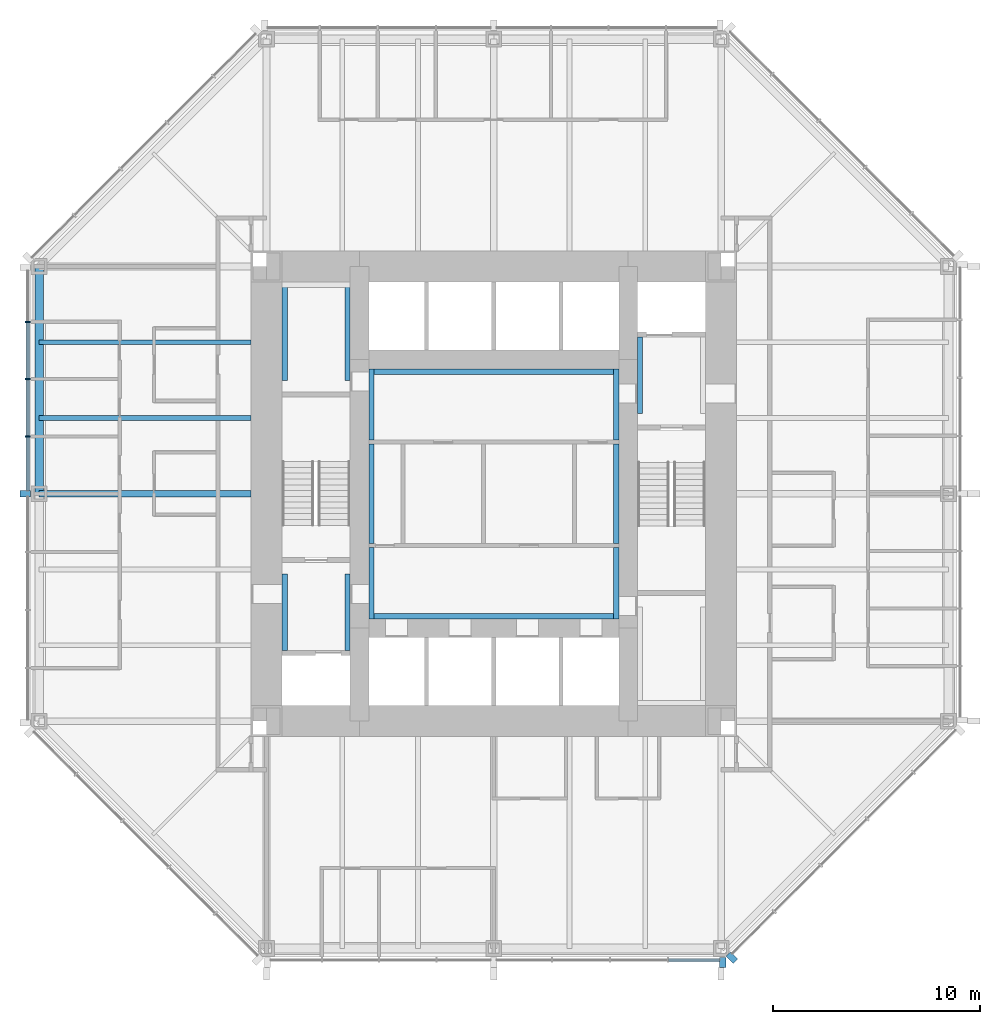
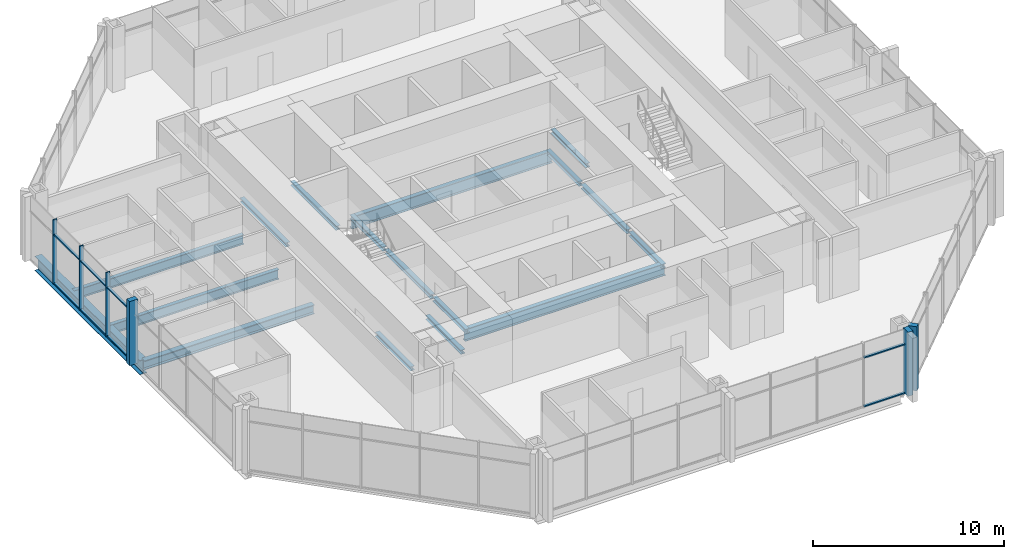
# One storey, part 3 of 12: 17 beams, 14 members, 3 elements without a shape of their own.
"""IFC4 building model written with IfcOpenShell, lengths in metres."""

from ifc_helpers import new_model, si_unit, direction, frame, origin, origin_2d, place, context, subcontext, project, spatial, rectangle, i_section, extrude, material, material_profile, profile_set, type_object, element, aggregate, save


model = new_model("IFC4")

# Units and contexts
model_context = context("Model", 3, precision=1e-05, world=origin(), true_north=direction((0.0, 1.0)))
body_context = subcontext(model_context, "Body", "Model", "MODEL_VIEW")
ifc_project = project(units=[si_unit("LENGTHUNIT", "METRE"), si_unit("AREAUNIT", "SQUARE_METRE"), si_unit("VOLUMEUNIT", "CUBIC_METRE"), si_unit("PLANEANGLEUNIT", "RADIAN"), si_unit("MASSUNIT", "GRAM", prefix="KILO")], contexts=[model_context])

# Site, building, storey
site_placement = place(None, origin())
site = spatial("IfcSite", under=ifc_project, at=site_placement, CompositionType="ELEMENT")
building_placement = place(site_placement, origin())
building = spatial("IfcBuilding", under=site, at=building_placement, Name="Trevanion Tower", CompositionType="ELEMENT")
storey_placement = place(building_placement, frame((0.0, 0.0, 117.199951171875)))
storey = spatial("IfcBuildingStorey", under=building, at=storey_placement, Name="L27", CompositionType="ELEMENT", Elevation=117.199951171875)

# Beams
ifc_material_1 = material(Name="Steel ASTM A992 Grade 50", Category="steel")
ifc_material_profile_1 = material_profile(ifc_material_1, i_section(OverallWidth=0.22900390625, OverallDepth=0.612060546875, WebThickness=0.011962890625, FlangeThickness=0.01953125, at=origin_2d()), Name="W24X84")
ifc_profile_set_1 = profile_set([ifc_material_profile_1], Name="Steel ASTM A992 Grade 50")
beam_type_1 = type_object("IfcBeamType", Name="B7 W24X84", PredefinedType="BEAM", material=ifc_profile_set_1)
for number, where, z_axis, x_axis, name in (
    (1, (-11.75, 7.333251953125, -0.49609375), (-1.0, 0.0, 0.0), (0.0, -1.0, 0.0), "B7 L27"),
    (2, (-11.75, 3.666748046875, -0.49609375), (-1.0, 0.0, 0.0), (0.0, -1.0, 0.0), "B7 L27"),
):
    element("IfcBeam", number, at=place(storey_placement, frame(where, z_axis=z_axis, x_axis=x_axis)), inside=storey, type_object=beam_type_1, Name=name, PredefinedType="BEAM", context=body_context, shape_type="SweptSolid", body=[
        extrude(i_section(OverallWidth=0.22900390625, OverallDepth=0.612060546875, WebThickness=0.011962890625, FlangeThickness=0.01953125, at=origin_2d()), origin(), (0.0, 0.0, 1.0), 10.25),
    ])

# Curtain wall, members
ifc_material_2 = material(Name="Aluminium and glass", Category="aluminium")
curtain_wall_type = type_object("IfcCurtainWallType", Name="CW2 curtain wall", PredefinedType="USERDEFINED", material=ifc_material_2)
curtain_wall_1_placement = place(storey_placement, origin())
curtain_wall_1 = element("IfcCurtainWall", 3, at=curtain_wall_1_placement, inside=storey, type_object=curtain_wall_type, Name="CW2 L27 4", ObjectType="UNITISED CURTAIN WALL", PredefinedType="USERDEFINED")
ifc_material_3 = material(Name="Aluminium extrusion, anodised bronze", Category="aluminium")
ifc_material_profile_2 = material_profile(ifc_material_3, rectangle(XDim=0.074951171875, YDim=0.25, at=origin_2d()), Name="CW2 mullion")
ifc_profile_set_2 = profile_set([ifc_material_profile_2], Name="Aluminium extrusion, anodised bronze")
member_type_1 = type_object("IfcMemberType", Name="CW2 mullion", PredefinedType="MULLION", material=ifc_profile_set_2)
member_1_placement = place(storey_placement, frame((-22.550048828125, 8.323486328125, -0.18994140625), z_axis=(0.0, 0.0, 1.0), x_axis=(0.0, -1.0, 0.0)))
member_1 = element("IfcMember", 4, at=member_1_placement, type_object=member_type_1, Name="CW2 mullion 2", PredefinedType="MULLION", context=body_context, shape_type="SweptSolid", body=[
    extrude(rectangle(XDim=0.074951171875, YDim=0.25, at=origin_2d()), origin(), (0.0, 0.0, 1.0), 4.10009765625),
])
member_2_placement = place(storey_placement, frame((-22.550048828125, 5.548828125, -0.18994140625), z_axis=(0.0, 0.0, 1.0), x_axis=(0.0, -1.0, 0.0)))
member_2 = element("IfcMember", 5, at=member_2_placement, type_object=member_type_1, Name="CW2 mullion 3", PredefinedType="MULLION", context=body_context, shape_type="SweptSolid", body=[
    extrude(rectangle(XDim=0.074951171875, YDim=0.25, at=origin_2d()), origin(), (0.0, 0.0, 1.0), 4.10009765625),
])
member_3_placement = place(storey_placement, frame((-22.550048828125, 2.7744140625, -0.18994140625), z_axis=(0.0, 0.0, 1.0), x_axis=(0.0, -1.0, 0.0)))
member_3 = element("IfcMember", 6, at=member_3_placement, type_object=member_type_1, Name="CW2 mullion 4", PredefinedType="MULLION", context=body_context, shape_type="SweptSolid", body=[
    extrude(rectangle(XDim=0.074951171875, YDim=0.25, at=origin_2d()), origin(), (0.0, 0.0, 1.0), 4.10009765625),
])
ifc_material_4 = material(Name="Aluminium extrusion, anodised bronze", Category="aluminium")
ifc_material_profile_3 = material_profile(ifc_material_4, rectangle(XDim=0.300048828125, YDim=0.5, at=origin_2d()), Name="CW2 pier mullion")
ifc_profile_set_3 = profile_set([ifc_material_profile_3], Name="Aluminium extrusion, anodised bronze")
member_type_2 = type_object("IfcMemberType", Name="CW2 pier mullion", PredefinedType="MULLION", material=ifc_profile_set_3)
member_4_placement = place(storey_placement, frame((-22.675048828125, 0.0, -0.18994140625), z_axis=(0.0, 0.0, 1.0), x_axis=(0.0, -1.0, 0.0)))
member_4 = element("IfcMember", 7, at=member_4_placement, type_object=member_type_2, Name="CW2 pier mullion 5", PredefinedType="MULLION", context=body_context, shape_type="SweptSolid", body=[
    extrude(rectangle(XDim=0.300048828125, YDim=0.5, at=origin_2d()), origin(), (0.0, 0.0, 1.0), 4.10009765625),
])

# Curtain wall, member
curtain_wall_2_placement = place(storey_placement, origin())
curtain_wall_2 = element("IfcCurtainWall", 8, at=curtain_wall_2_placement, inside=storey, type_object=curtain_wall_type, Name="CW2 L27 6", ObjectType="UNITISED CURTAIN WALL", PredefinedType="USERDEFINED")
member_5_placement = place(storey_placement, frame((11.077880859375, -22.675048828125, -0.18994140625), z_axis=(0.0, 0.0, 1.0), x_axis=(1.0, 0.0, 0.0)))
member_5 = element("IfcMember", 9, at=member_5_placement, type_object=member_type_2, Name="CW2 pier mullion 9", PredefinedType="MULLION", context=body_context, shape_type="SweptSolid", body=[
    extrude(rectangle(XDim=0.300048828125, YDim=0.5, at=origin_2d()), origin(), (0.0, 0.0, 1.0), 4.10009765625),
])

curtain_wall_3_placement = place(storey_placement, origin())
curtain_wall_3 = element("IfcCurtainWall", 10, at=curtain_wall_3_placement, inside=storey, type_object=curtain_wall_type, Name="CW2 L27 7", ObjectType="UNITISED CURTAIN WALL", PredefinedType="USERDEFINED")
member_6_placement = place(storey_placement, frame((11.51416015625, -22.4404296875, -0.18994140625), z_axis=(0.0, 0.0, 1.0), x_axis=(0.707106781187, 0.707106781187, 0.0)))
member_6 = element("IfcMember", 11, at=member_6_placement, type_object=member_type_2, Name="CW2 pier mullion 1", PredefinedType="MULLION", context=body_context, shape_type="SweptSolid", body=[
    extrude(rectangle(XDim=0.300048828125, YDim=0.5, at=origin_2d()), origin(), (0.0, 0.0, 1.0), 4.10009765625),
])
aggregate(curtain_wall_3, [member_6])

# Member
ifc_material_5 = material(Name="Aluminium extrusion, anodised bronze", Category="aluminium")
ifc_material_profile_4 = material_profile(ifc_material_5, rectangle(XDim=0.14990234375, YDim=0.074951171875, at=origin_2d()), Name="CW2 transom")
ifc_profile_set_4 = profile_set([ifc_material_profile_4], Name="Aluminium extrusion, anodised bronze")
member_type_3 = type_object("IfcMemberType", Name="CW2 transom", PredefinedType="USERDEFINED", material=ifc_profile_set_4)
member_7_placement = place(storey_placement, frame((-22.550048828125, 8.285888671875, -0.15234375), z_axis=(0.0, -1.0, 0.0), x_axis=(1.0, 0.0, 0.0)))
member_7 = element("IfcMember", 12, at=member_7_placement, type_object=member_type_3, Name="CW2 transom 2.1", ObjectType="TRANSOM", PredefinedType="USERDEFINED", context=body_context, shape_type="SweptSolid", body=[
    extrude(rectangle(XDim=0.14990234375, YDim=0.074951171875, at=origin_2d()), origin(), (0.0, 0.0, 1.0), 2.699462890625),
])

member_8_placement = place(storey_placement, frame((-22.550048828125, 8.285888671875, 2.9599609375), z_axis=(0.0, -1.0, 0.0), x_axis=(1.0, 0.0, 0.0)))
member_8 = element("IfcMember", 13, at=member_8_placement, type_object=member_type_3, Name="CW2 transom 2.2", ObjectType="TRANSOM", PredefinedType="USERDEFINED", context=body_context, shape_type="SweptSolid", body=[
    extrude(rectangle(XDim=0.14990234375, YDim=0.074951171875, at=origin_2d()), origin(), (0.0, 0.0, 1.0), 2.699462890625),
])

member_9_placement = place(storey_placement, frame((-22.550048828125, 5.511474609375, -0.15234375), z_axis=(0.0, -1.0, 0.0), x_axis=(1.0, 0.0, 0.0)))
member_9 = element("IfcMember", 14, at=member_9_placement, type_object=member_type_3, Name="CW2 transom 3.1", ObjectType="TRANSOM", PredefinedType="USERDEFINED", context=body_context, shape_type="SweptSolid", body=[
    extrude(rectangle(XDim=0.14990234375, YDim=0.074951171875, at=origin_2d()), origin(), (0.0, 0.0, 1.0), 2.699462890625),
])

member_10_placement = place(storey_placement, frame((-22.550048828125, 5.511474609375, 2.9599609375), z_axis=(0.0, -1.0, 0.0), x_axis=(1.0, 0.0, 0.0)))
member_10 = element("IfcMember", 15, at=member_10_placement, type_object=member_type_3, Name="CW2 transom 3.2", ObjectType="TRANSOM", PredefinedType="USERDEFINED", context=body_context, shape_type="SweptSolid", body=[
    extrude(rectangle(XDim=0.14990234375, YDim=0.074951171875, at=origin_2d()), origin(), (0.0, 0.0, 1.0), 2.699462890625),
])

member_11_placement = place(storey_placement, frame((-22.550048828125, 2.737060546875, -0.15234375), z_axis=(0.0, -1.0, 0.0), x_axis=(1.0, 0.0, 0.0)))
member_11 = element("IfcMember", 16, at=member_11_placement, type_object=member_type_3, Name="CW2 transom 4.1", ObjectType="TRANSOM", PredefinedType="USERDEFINED", context=body_context, shape_type="SweptSolid", body=[
    extrude(rectangle(XDim=0.14990234375, YDim=0.074951171875, at=origin_2d()), origin(), (0.0, 0.0, 1.0), 2.587158203125),
])

member_12_placement = place(storey_placement, frame((-22.550048828125, 2.737060546875, 2.9599609375), z_axis=(0.0, -1.0, 0.0), x_axis=(1.0, 0.0, 0.0)))
member_12 = element("IfcMember", 17, at=member_12_placement, type_object=member_type_3, Name="CW2 transom 4.2", ObjectType="TRANSOM", PredefinedType="USERDEFINED", context=body_context, shape_type="SweptSolid", body=[
    extrude(rectangle(XDim=0.14990234375, YDim=0.074951171875, at=origin_2d()), origin(), (0.0, 0.0, 1.0), 2.587158203125),
])

aggregate(curtain_wall_1, [member_1, member_2, member_3, member_4, member_7, member_8, member_9, member_10, member_11, member_12])

member_13_placement = place(storey_placement, frame((8.45849609375, -22.550048828125, -0.15234375), z_axis=(1.0, 0.0, 0.0), x_axis=(0.0, 1.0, 0.0)))
member_13 = element("IfcMember", 18, at=member_13_placement, type_object=member_type_3, Name="CW2 transom 8.1", ObjectType="TRANSOM", PredefinedType="USERDEFINED", context=body_context, shape_type="SweptSolid", body=[
    extrude(rectangle(XDim=0.14990234375, YDim=0.074951171875, at=origin_2d()), origin(), (0.0, 0.0, 1.0), 2.46923828125),
])

member_14_placement = place(storey_placement, frame((8.45849609375, -22.550048828125, 2.9599609375), z_axis=(1.0, 0.0, 0.0), x_axis=(0.0, 1.0, 0.0)))
member_14 = element("IfcMember", 19, at=member_14_placement, type_object=member_type_3, Name="CW2 transom 8.2", ObjectType="TRANSOM", PredefinedType="USERDEFINED", context=body_context, shape_type="SweptSolid", body=[
    extrude(rectangle(XDim=0.14990234375, YDim=0.074951171875, at=origin_2d()), origin(), (0.0, 0.0, 1.0), 2.46923828125),
])

aggregate(curtain_wall_2, [member_5, member_13, member_14])

# Beams
ifc_material_6 = material(Name="Steel ASTM A992 Grade 50", Category="steel")
ifc_material_profile_5 = material_profile(ifc_material_6, i_section(OverallWidth=0.320068359375, OverallDepth=0.584228515625, WebThickness=0.023193359375, FlangeThickness=0.04150390625, at=origin_2d()), Name="W21X201")
ifc_profile_set_5 = profile_set([ifc_material_profile_5], Name="Steel ASTM A992 Grade 50")
beam_type_2 = type_object("IfcBeamType", Name="G4 W21X201", PredefinedType="BEAM", material=ifc_profile_set_5)
beam_1_placement = place(storey_placement, frame((-11.75, 0.0, -0.48193359375), z_axis=(-1.0, 0.0, 0.0), x_axis=(0.0, -1.0, 0.0)))
element("IfcBeam", 20, at=beam_1_placement, inside=storey, type_object=beam_type_2, Name="G4 L27", PredefinedType="BEAM", context=body_context, shape_type="SweptSolid", body=[
    extrude(i_section(OverallWidth=0.320068359375, OverallDepth=0.584228515625, WebThickness=0.023193359375, FlangeThickness=0.04150390625, at=origin_2d()), origin(), (0.0, 0.0, 1.0), 10.25),
])
ifc_material_7 = material(Name="Steel ASTM A992 Grade 50", Category="steel")
ifc_material_profile_6 = material_profile(ifc_material_7, i_section(OverallWidth=0.256591796875, OverallDepth=0.26416015625, WebThickness=0.011962890625, FlangeThickness=0.01953125, at=origin_2d()), Name="W10X68")
ifc_profile_set_6 = profile_set([ifc_material_profile_6], Name="Steel ASTM A992 Grade 50")
beam_type_3 = type_object("IfcBeamType", Name="LB1 W10X68", PredefinedType="BEAM", material=ifc_profile_set_6)
for number, where, z_axis, x_axis, name in (
    (21, (-5.921630859375, 2.60009765625, -0.33203125), (0.0, 1.0, 0.0), (-1.0, 0.0, 0.0), "LB1 L27"),
    (22, (5.921630859375, 2.60009765625, -0.33203125), (0.0, 1.0, 0.0), (-1.0, 0.0, 0.0), "LB1 L27"),
    (23, (-5.921630859375, -6.050048828125, -0.33203125), (0.0, 1.0, 0.0), (-1.0, 0.0, 0.0), "LB1 L27"),
    (24, (5.921630859375, -6.050048828125, -0.33203125), (0.0, 1.0, 0.0), (-1.0, 0.0, 0.0), "LB1 L27"),
):
    element("IfcBeam", number, at=place(storey_placement, frame(where, z_axis=z_axis, x_axis=x_axis)), inside=storey, type_object=beam_type_3, Name=name, PredefinedType="BEAM", context=body_context, shape_type="SweptSolid", body=[
        extrude(i_section(OverallWidth=0.256591796875, OverallDepth=0.26416015625, WebThickness=0.011962890625, FlangeThickness=0.01953125, at=origin_2d()), origin(), (0.0, 0.0, 1.0), 3.449951171875),
    ])
for number, where, z_axis, x_axis, name in (
    (25, (7.078369140625, 3.875, -0.33203125), (0.0, 1.0, 0.0), (-1.0, 0.0, 0.0), "LB1 L27"),
    (26, (-10.12158203125, -7.574951171875, -0.33203125), (0.0, 1.0, 0.0), (-1.0, 0.0, 0.0), "LB1 L27"),
    (27, (-7.078369140625, -7.574951171875, -0.33203125), (0.0, 1.0, 0.0), (-1.0, 0.0, 0.0), "LB1 L27"),
):
    element("IfcBeam", number, at=place(storey_placement, frame(where, z_axis=z_axis, x_axis=x_axis)), inside=storey, type_object=beam_type_3, Name=name, PredefinedType="BEAM", context=body_context, shape_type="SweptSolid", body=[
        extrude(i_section(OverallWidth=0.256591796875, OverallDepth=0.26416015625, WebThickness=0.011962890625, FlangeThickness=0.01953125, at=origin_2d()), origin(), (0.0, 0.0, 1.0), 3.699951171875),
    ])
for number, where, z_axis, x_axis, name in (
    (28, (-10.12158203125, 5.47509765625, -0.33203125), (0.0, 1.0, 0.0), (-1.0, 0.0, 0.0), "LB1 L27"),
    (29, (-7.078369140625, 5.47509765625, -0.33203125), (0.0, 1.0, 0.0), (-1.0, 0.0, 0.0), "LB1 L27"),
):
    element("IfcBeam", number, at=place(storey_placement, frame(where, z_axis=z_axis, x_axis=x_axis)), inside=storey, type_object=beam_type_3, Name=name, PredefinedType="BEAM", context=body_context, shape_type="SweptSolid", body=[
        extrude(i_section(OverallWidth=0.256591796875, OverallDepth=0.26416015625, WebThickness=0.011962890625, FlangeThickness=0.01953125, at=origin_2d()), origin(), (0.0, 0.0, 1.0), 4.77490234375),
    ])
for number, where, z_axis, x_axis, name in (
    (30, (-5.921630859375, -2.39990234375, -0.33203125), (0.0, 1.0, 0.0), (-1.0, 0.0, 0.0), "LB1 L27"),
    (31, (5.921630859375, -2.39990234375, -0.33203125), (0.0, 1.0, 0.0), (-1.0, 0.0, 0.0), "LB1 L27"),
):
    element("IfcBeam", number, at=place(storey_placement, frame(where, z_axis=z_axis, x_axis=x_axis)), inside=storey, type_object=beam_type_3, Name=name, PredefinedType="BEAM", context=body_context, shape_type="SweptSolid", body=[
        extrude(i_section(OverallWidth=0.256591796875, OverallDepth=0.26416015625, WebThickness=0.011962890625, FlangeThickness=0.01953125, at=origin_2d()), origin(), (0.0, 0.0, 1.0), 4.7998046875),
    ])
ifc_material_8 = material(Name="Steel ASTM A992 Grade 50", Category="steel")
ifc_material_profile_7 = material_profile(ifc_material_8, i_section(OverallWidth=0.2666015625, OverallDepth=0.76953125, WebThickness=0.015625, FlangeThickness=0.025390625, at=origin_2d()), Name="W30X132")
ifc_profile_set_7 = profile_set([ifc_material_profile_7], Name="Steel ASTM A992 Grade 50")
beam_type_4 = type_object("IfcBeamType", Name="LB3 W30X132", PredefinedType="BEAM", material=ifc_profile_set_7)
for number, where, z_axis, x_axis, name in (
    (32, (-6.050048828125, 5.91650390625, -0.584716796875), (1.0, 0.0, 0.0), (0.0, 1.0, 0.0), "LB3 L27"),
    (33, (-6.050048828125, -5.91650390625, -0.584716796875), (1.0, 0.0, 0.0), (0.0, 1.0, 0.0), "LB3 L27"),
):
    element("IfcBeam", number, at=place(storey_placement, frame(where, z_axis=z_axis, x_axis=x_axis)), inside=storey, type_object=beam_type_4, Name=name, PredefinedType="BEAM", context=body_context, shape_type="SweptSolid", body=[
        extrude(i_section(OverallWidth=0.2666015625, OverallDepth=0.76953125, WebThickness=0.015625, FlangeThickness=0.025390625, at=origin_2d()), origin(), (0.0, 0.0, 1.0), 12.10009765625),
    ])
ifc_material_9 = material(Name="Steel ASTM A992 Grade 50", Category="steel")
ifc_material_profile_8 = material_profile(ifc_material_9, i_section(OverallWidth=0.419189453125, OverallDepth=0.927001953125, WebThickness=0.019287109375, FlangeThickness=0.031982421875, at=origin_2d()), Name="W36X231")
ifc_profile_set_8 = profile_set([ifc_material_profile_8], Name="Steel ASTM A992 Grade 50")
beam_type_5 = type_object("IfcBeamType", Name="SB4 W36X231", PredefinedType="SPANDREL", material=ifc_profile_set_8)
beam_2_placement = place(storey_placement, frame((-22.0, 11.0, -0.653564453125), z_axis=(0.0, -1.0, 0.0), x_axis=(1.0, 0.0, 0.0)))
element("IfcBeam", 34, at=beam_2_placement, inside=storey, type_object=beam_type_5, Name="SB4 L27", PredefinedType="SPANDREL", context=body_context, shape_type="SweptSolid", body=[
    extrude(i_section(OverallWidth=0.419189453125, OverallDepth=0.927001953125, WebThickness=0.019287109375, FlangeThickness=0.031982421875, at=origin_2d()), origin(), (0.0, 0.0, 1.0), 11.0),
])

save(model, "model.ifc")
